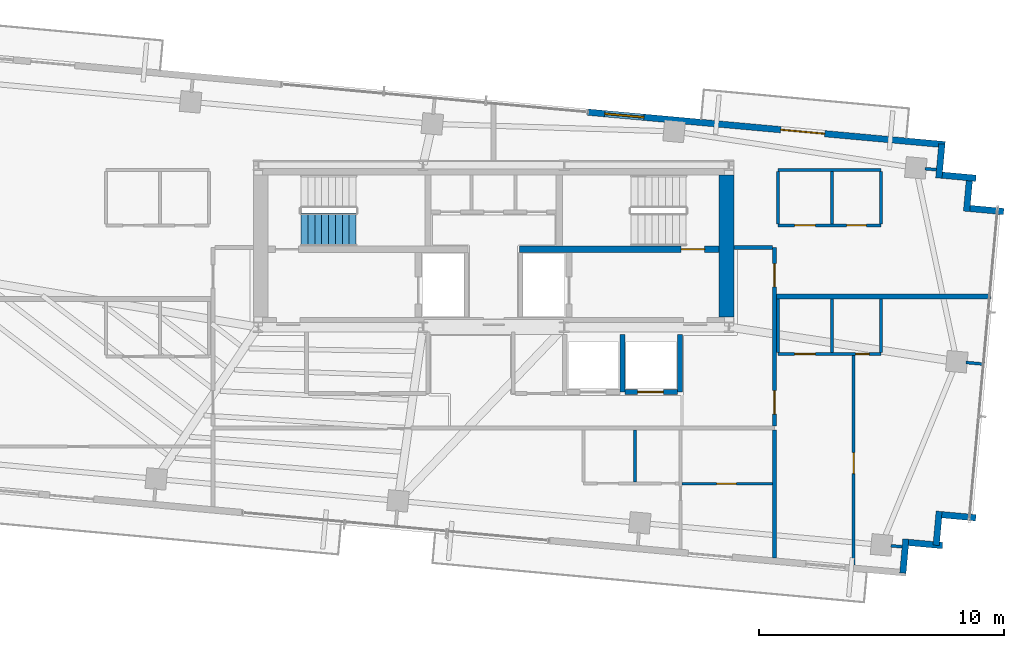
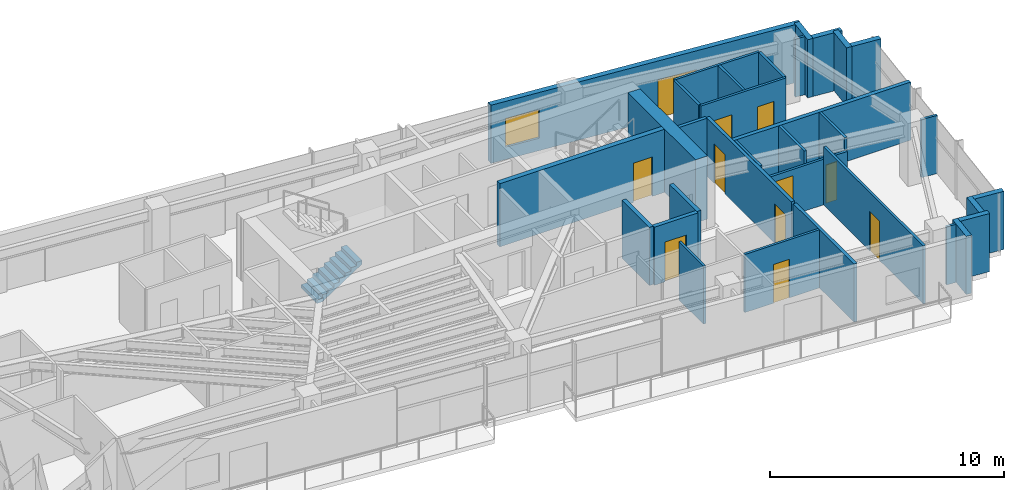
# One storey, part 18 of 22: 33 walls, 11 doors, 1 stair flight, 1 window, 12 openings, 1 element without a shape of its own.
"""IFC4 building model written with IfcOpenShell, lengths in metres."""

import ifcopenshell
import ifcopenshell.guid

model = None  # the IFC model being written
_history = None  # IfcOwnerHistory: only IFC2X3 demands one
_inside = {}  # id of a spatial element -> (the spatial element, [elements in it])
_under = {}  # id of a project, library or spatial element -> (it, [spatial elements below it])
_declared = {}  # id of a project -> (the project, [libraries it declares])
_typed = {}  # id of a type object -> (the type object, [elements of that type])
_made_of = {}  # id of a material, layer set ... -> (it, [elements and type objects made of it])


def new_model(schema):
    """Start an empty IFC model of exactly this schema.

    Asked for "IFC4X3", IfcOpenShell would pick the latest addendum, in which some entities
    have other attributes; the version numbers below select the first issue.
    IFC2X3 requires an IfcOwnerHistory on every rooted entity: one is made here for all.
    """
    global model, _history
    if schema == "IFC4X3":
        model = ifcopenshell.file(schema_version=(4, 3, 0, 0))
    else:
        model = ifcopenshell.file(schema=schema)
    _inside.clear()
    _under.clear()
    _declared.clear()
    _typed.clear()
    _made_of.clear()
    _history = None
    if model.schema == "IFC2X3":
        org = make("IfcOrganization", Name="unknown")
        user = make(
            "IfcPersonAndOrganization",
            ThePerson=make("IfcPerson", FamilyName="unknown"),
            TheOrganization=org,
        )
        app = make(
            "IfcApplication",
            ApplicationDeveloper=org,
            Version="unknown",
            ApplicationFullName="unknown",
            ApplicationIdentifier="unknown",
        )
        _history = make(
            "IfcOwnerHistory",
            OwningUser=user,
            OwningApplication=app,
            ChangeAction="ADDED",
            CreationDate=0,
        )
    return model


def make(cls, **values):
    """One entity of the class cls with the attributes given. An attribute that is None is left unset."""
    return model.create_entity(
        cls, **{name: value for name, value in values.items() if value is not None}
    )


def rooted(cls, **values):
    """An entity with a GlobalId (a new one), such as an element, a storey or a relation."""
    return make(cls, GlobalId=ifcopenshell.guid.new(), OwnerHistory=_history, **values)


def si_unit(unit_type, name, prefix=None):
    """IfcSIUnit, for example si_unit("LENGTHUNIT", "METRE", prefix="MILLI")."""
    return make("IfcSIUnit", UnitType=unit_type, Prefix=prefix, Name=name)


def assignment(units):
    """IfcUnitAssignment: the units of a project."""
    return None if units is None else make("IfcUnitAssignment", Units=units)


def point(xyz):
    """IfcCartesianPoint."""
    return None if xyz is None else make("IfcCartesianPoint", Coordinates=xyz)


def direction(xyz):
    """IfcDirection."""
    return None if xyz is None else make("IfcDirection", DirectionRatios=xyz)


def frame(location, z_axis=None, x_axis=None):
    """IfcAxis2Placement3D, a coordinate frame: its origin and axes. An axis left out is left unset."""
    return make(
        "IfcAxis2Placement3D",
        Location=point(location),
        Axis=direction(z_axis),
        RefDirection=direction(x_axis),
    )


def frame_2d(location, x_axis=None):
    """IfcAxis2Placement2D, a coordinate frame in the plane: its origin and x axis."""
    return make(
        "IfcAxis2Placement2D", Location=point(location), RefDirection=direction(x_axis)
    )


def origin():
    """The frame at (0, 0, 0) with its axes left unset."""
    return frame((0.0, 0.0, 0.0))


def place(relative_to, where):
    """IfcLocalPlacement: puts the frame where relative to a parent placement (None: the world)."""
    return make(
        "IfcLocalPlacement", PlacementRelTo=relative_to, RelativePlacement=where
    )


def context(
    kind, dimensions, precision=None, world=None, true_north=None, identifier=None
):
    """IfcGeometricRepresentationContext, for example the 3D "Model" context."""
    return make(
        "IfcGeometricRepresentationContext",
        ContextIdentifier=identifier,
        ContextType=kind,
        CoordinateSpaceDimension=dimensions,
        Precision=precision,
        WorldCoordinateSystem=world,
        TrueNorth=true_north,
    )


def subcontext(parent, identifier, kind, view, scale=None):
    """IfcGeometricRepresentationSubContext, for example "Body" below "Model"."""
    return make(
        "IfcGeometricRepresentationSubContext",
        ContextIdentifier=identifier,
        ContextType=kind,
        ParentContext=parent,
        TargetScale=scale,
        TargetView=view,
    )


def project(units=None, contexts=None):
    """IfcProject with its units and contexts."""
    return rooted(
        "IfcProject",
        Name="project",
        RepresentationContexts=contexts,
        UnitsInContext=assignment(units),
    )


def spatial(cls, under=None, at=None, **own):
    """A site, building, storey or space (cls), placed at a placement, below another one or the project."""
    s = rooted(cls, ObjectPlacement=at, **own)
    if under is not None:
        _under.setdefault(under.id(), (under, []))[1].append(s)
    return s


def polyline(points):
    """IfcPolyline through the points."""
    return make("IfcPolyline", Points=[point(p) for p in points])


def profile(cls, at=None, kind="AREA", **sizes):
    """A parametric profile (cls). Its sizes go by their IFC names, for example OverallWidth=200.0."""
    return make(cls, ProfileType=kind, Position=at, **sizes)


def rectangle(**sizes):
    """IfcRectangleProfileDef."""
    return profile("IfcRectangleProfileDef", **sizes)


def outline(outer, holes=None, kind="AREA"):
    """IfcArbitraryClosedProfileDef: a profile drawn as a closed curve; with holes, ...WithVoids."""
    if holes is None:
        return make("IfcArbitraryClosedProfileDef", ProfileType=kind, OuterCurve=outer)
    return make(
        "IfcArbitraryProfileDefWithVoids",
        ProfileType=kind,
        OuterCurve=outer,
        InnerCurves=holes,
    )


def extrude(swept, where, along, depth):
    """IfcExtrudedAreaSolid: the profile swept, set in the frame where, extruded along a direction by depth."""
    return make(
        "IfcExtrudedAreaSolid",
        SweptArea=swept,
        Position=where,
        ExtrudedDirection=direction(along),
        Depth=depth,
    )


def shape(context_of_items, identifier, shape_type, items):
    """IfcShapeRepresentation: the items that make up one representation, for example the "Body"."""
    return make(
        "IfcShapeRepresentation",
        ContextOfItems=context_of_items,
        RepresentationIdentifier=identifier,
        RepresentationType=shape_type,
        Items=items,
    )


def source(mapping_origin, context_of_items, identifier, shape_type, items):
    """IfcRepresentationMap: a shape defined once, which mapped items show again and again."""
    return make(
        "IfcRepresentationMap",
        MappingOrigin=mapping_origin,
        MappedRepresentation=shape(context_of_items, identifier, shape_type, items),
    )


def transform(
    local_origin,
    x_axis=None,
    y_axis=None,
    z_axis=None,
    scale=None,
    scale2=None,
    scale3=None,
    uniform=True,
):
    """IfcCartesianTransformationOperator3D, or its non-uniform kind. x_axis, y_axis, z_axis: its Axis1, 2, 3."""
    if uniform:
        return make(
            "IfcCartesianTransformationOperator3D",
            Axis1=direction(x_axis),
            Axis2=direction(y_axis),
            LocalOrigin=point(local_origin),
            Scale=scale,
            Axis3=direction(z_axis),
        )
    return make(
        "IfcCartesianTransformationOperator3DnonUniform",
        Axis1=direction(x_axis),
        Axis2=direction(y_axis),
        LocalOrigin=point(local_origin),
        Scale=scale,
        Axis3=direction(z_axis),
        Scale2=scale2,
        Scale3=scale3,
    )


def mapped(mapping_source, mapping_target):
    """IfcMappedItem: shows the shape of a source again, moved by a transform."""
    return make(
        "IfcMappedItem", MappingSource=mapping_source, MappingTarget=mapping_target
    )


def material(Name=None, Category=None):
    """IfcMaterial."""
    return make("IfcMaterial", Name=Name, Category=Category)


def layer(
    of_material, thickness, ventilated=None, Name=None, Category=None, Priority=None
):
    """IfcMaterialLayer: one layer of a wall or slab, of a material (None: an air gap)."""
    return make(
        "IfcMaterialLayer",
        Material=of_material,
        LayerThickness=thickness,
        IsVentilated=ventilated,
        Name=Name,
        Category=Category,
        Priority=Priority,
    )


def layer_set(layers, Name=None):
    """IfcMaterialLayerSet."""
    return make("IfcMaterialLayerSet", MaterialLayers=layers, LayerSetName=Name)


def made_of(thing, what):
    """Note that an element or type object is made of a material, layer set ...; save() writes the relation."""
    if what is not None:
        _made_of.setdefault(what.id(), (what, []))[1].append(thing)
    return thing


def type_object(cls, material=None, **own):
    """A type object (cls), such as IfcWallType, which elements share."""
    return made_of(rooted(cls, **own), material)


def type_shapes(of_type, sources):
    """Give a type object the sources (RepresentationMaps) that its elements show as mapped items."""
    of_type.RepresentationMaps = sources


def element(
    cls,
    number,
    at=None,
    inside=None,
    cuts=None,
    type_object=None,
    material=None,
    context=None,
    identifier="Body",
    shape_type=None,
    held_by="IfcProductDefinitionShape",
    body=None,
    shapes=None,
    **own,
):
    """One element of the class cls, such as IfcWall. Its Tag is "e" and its number.

    at: its placement. inside: the storey or other place that contains it. cuts: it is an
    opening in that element (IfcRelVoidsElement). A single representation is given by context,
    identifier, shape_type and body (its items); several are given by shapes. held_by: the class
    of the entity that holds the representations. save() writes the other relations.
    """
    e = rooted(cls, Tag="e%d" % number, ObjectPlacement=at, **own)
    if body is not None:
        shapes = [shape(context, identifier, shape_type, body)]
    if shapes is not None:
        e.Representation = make(held_by, Representations=shapes)
    if inside is not None:
        _inside.setdefault(inside.id(), (inside, []))[1].append(e)
    if cuts is not None:
        rooted(
            "IfcRelVoidsElement", RelatingBuildingElement=cuts, RelatedOpeningElement=e
        )
    if type_object is not None:
        _typed.setdefault(type_object.id(), (type_object, []))[1].append(e)
    return made_of(e, material)


def fill(opening, filler):
    """IfcRelFillsElement: the door or window that sits in an opening."""
    return rooted(
        "IfcRelFillsElement",
        RelatingOpeningElement=opening,
        RelatedBuildingElement=filler,
    )


def aggregate(whole, parts):
    """IfcRelAggregates: a whole, such as a stair, and the parts it consists of."""
    return rooted("IfcRelAggregates", RelatingObject=whole, RelatedObjects=parts)


def save(model, path):
    """Write the relations noted so far, then the file.

    IfcRelAggregates (storeys below a building ...), IfcRelContainedInSpatialStructure (elements
    in a storey), IfcRelDefinesByType, IfcRelAssociatesMaterial and IfcRelDeclares: one each for
    every whole, place, type object, material and project.
    """
    for whole, parts in _under.values():
        aggregate(whole, parts)
    for where, things in _inside.values():
        rooted(
            "IfcRelContainedInSpatialStructure",
            RelatedElements=things,
            RelatingStructure=where,
        )
    for kind, things in _typed.values():
        rooted("IfcRelDefinesByType", RelatedObjects=things, RelatingType=kind)
    for what, things in _made_of.values():
        rooted("IfcRelAssociatesMaterial", RelatedObjects=things, RelatingMaterial=what)
    for by, libraries in _declared.values():
        rooted("IfcRelDeclares", RelatingContext=by, RelatedDefinitions=libraries)
    model.write(path)


model = new_model("IFC4")

# Units and contexts
model_context = context("Model", 3, precision=1e-05, world=origin(), true_north=direction((0.0, 1.0)))
body_context = subcontext(model_context, "Body", "Model", "MODEL_VIEW")
ifc_project = project(units=[si_unit("LENGTHUNIT", "METRE"), si_unit("AREAUNIT", "SQUARE_METRE"), si_unit("VOLUMEUNIT", "CUBIC_METRE"), si_unit("PLANEANGLEUNIT", "RADIAN"), si_unit("MASSUNIT", "GRAM", prefix="KILO")], contexts=[model_context])

# Site, building, storey
site_placement = place(None, origin())
site = spatial("IfcSite", under=ifc_project, at=site_placement, CompositionType="ELEMENT")
building_placement = place(site_placement, origin())
building = spatial("IfcBuilding", under=site, at=building_placement, Name="Astriad Promenade Condominiums", CompositionType="ELEMENT")
storey_placement = place(building_placement, frame((0.0, 0.0, 246.300048828125)))
storey = spatial("IfcBuildingStorey", under=building, at=storey_placement, Name="L71", CompositionType="ELEMENT", Elevation=246.300048828125)

# Wall
ifc_material_1 = material(Name="Concrete C50/60", Category="concrete")
ifc_layer_1 = layer(ifc_material_1, 0.60009765625)
ifc_layer_set_1 = layer_set([ifc_layer_1], Name="Concrete C50/60")
wall_type_1 = type_object("IfcWallType", Name="CW-SHEAR-600", PredefinedType="SHEAR", material=ifc_layer_set_1)
wall_1_placement = place(storey_placement, frame((45.5, 17.802001953125, 0.0), z_axis=(0.0, 0.0, 1.0), x_axis=(0.0, 1.0, 0.0)))
element("IfcWall", 1, at=wall_1_placement, inside=storey, type_object=wall_type_1, Name="CW-CORE-E-L71", PredefinedType="SHEAR", context=body_context, shape_type="SweptSolid", body=[
    extrude(rectangle(XDim=5.7958984375, YDim=0.60009765625, at=frame_2d((2.89794921875, 0.0))), origin(), (0.0, 0.0, 1.0), 3.300048828125),
])

# Wall, opening, door
ifc_layer_2 = layer(ifc_material_1, 0.25)
ifc_layer_set_2 = layer_set([ifc_layer_2], Name="Concrete C50/60")
wall_type_2 = type_object("IfcWallType", Name="WALL-CORE-INT-250", PredefinedType="SOLIDWALL", material=ifc_layer_set_2)
wall_2_placement = place(storey_placement, frame((37.050048828125, 20.574951171875, 0.0), z_axis=(0.0, 0.0, 1.0), x_axis=(1.0, 0.0, 0.0)))
wall_2 = element("IfcWall", 2, at=wall_2_placement, inside=storey, type_object=wall_type_2, Name="CW-INT-H2-L71", PredefinedType="SOLIDWALL", context=body_context, shape_type="SweptSolid", body=[
    extrude(rectangle(XDim=8.14794921875, YDim=0.25, at=frame_2d((4.073974609375, 0.0))), origin(), (0.0, 0.0, 1.0), 3.300048828125),
])
opening_1_placement = place(wall_2_placement, frame((6.60009765625, 0.0, 0.0)))
opening_1 = element("IfcOpeningElement", 3, at=opening_1_placement, cuts=wall_2, Name="Opening FD90-ST-095", PredefinedType="OPENING", context=body_context, shape_type="SweptSolid", body=[
    extrude(rectangle(XDim=0.949951171875, YDim=2.06005859375, at=frame_2d((0.47509765625, 1.030029296875))), frame((0.0, 0.135009765625, 0.0), z_axis=(0.0, -1.0, 0.0), x_axis=(1.0, 0.0, 0.0)), (0.0, 0.0, 1.0), 0.27001953125),
])
ifc_material_2 = material(Name="Fire-Rated Hollow Metal Stair Door")
door_type_1 = type_object("IfcDoorType", Name="FD90-ST-095", OperationType="NOTDEFINED", PredefinedType="DOOR", material=ifc_material_2)
shared_shape_1 = source(origin(), body_context, "Body", "SweptSolid", [
    extrude(rectangle(XDim=0.949951171875, YDim=2.06005859375, at=frame_2d((0.47509765625, 1.030029296875))), frame((0.0, 0.02490234375, 0.0), z_axis=(0.0, -1.0, 0.0), x_axis=(1.0, 0.0, 0.0)), (0.0, 0.0, 1.0), 0.050048828125),
])
type_shapes(door_type_1, [shared_shape_1])
door_1_placement = place(opening_1_placement, origin())
door_1 = element("IfcDoor", 4, at=door_1_placement, inside=storey, type_object=door_type_1, Name="D-ST2-L71", OperationType="SINGLE_SWING_LEFT", OverallHeight=2.06005859375, OverallWidth=0.949951171875, PredefinedType="DOOR", context=body_context, shape_type="MappedRepresentation", body=[
    mapped(shared_shape_1, transform((0.0, 0.0, 0.0), scale=1.0)),
])
fill(opening_1, door_1)

# Wall
ifc_material_3 = material(Name="Fire-Rated Gypsum Partition")
ifc_layer_3 = layer(ifc_material_3, 0.159912109375)
ifc_layer_set_3 = layer_set([ifc_layer_3], Name="Fire-Rated Gypsum Partition")
wall_type_3 = type_object("IfcWallType", Name="WALL-CORR-160", PredefinedType="PARTITIONING", material=ifc_layer_set_3)
wall_3_placement = place(storey_placement, frame((47.449951171875, 7.9931640625, 0.0), z_axis=(0.0, 0.0, 1.0), x_axis=(0.0, 1.0, 0.0)))
element("IfcWall", 5, at=wall_3_placement, inside=storey, type_object=wall_type_3, Name="PT-COR-E-L71", PredefinedType="PARTITIONING", context=body_context, shape_type="SweptSolid", body=[
    extrude(rectangle(XDim=5.204833984375, YDim=0.159912109375, at=frame_2d((2.6025390625, 0.0))), origin(), (0.0, 0.0, 1.0), 3.0400390625),
])

# Wall, openings, doors
wall_4_placement = place(storey_placement, frame((47.449951171875, 13.362060546875, 0.0), z_axis=(0.0, 0.0, 1.0), x_axis=(0.0, 1.0, 0.0)))
wall_4 = element("IfcWall", 6, at=wall_4_placement, inside=storey, type_object=wall_type_3, Name="PT-COR-E-L71-S2", PredefinedType="PARTITIONING", context=body_context, shape_type="SweptSolid", body=[
    extrude(rectangle(XDim=7.287841796875, YDim=0.159912109375, at=frame_2d((3.64404296875, 0.0))), origin(), (0.0, 0.0, 1.0), 3.0400390625),
])
opening_2_placement = place(wall_4_placement, frame((0.492919921875, 0.0, 0.0)))
opening_2 = element("IfcOpeningElement", 7, at=opening_2_placement, cuts=wall_4, Name="Opening FD60-APT-095", PredefinedType="OPENING", context=body_context, shape_type="SweptSolid", body=[
    extrude(rectangle(XDim=0.949951171875, YDim=2.06005859375, at=frame_2d((0.47509765625, 1.030029296875))), frame((0.0, 0.08984375, 0.0), z_axis=(0.0, -1.0, 0.0), x_axis=(1.0, 0.0, 0.0)), (0.0, 0.0, 1.0), 0.179931640625),
])
opening_3_placement = place(wall_4_placement, frame((5.680908203125, 0.0, 0.0)))
opening_3 = element("IfcOpeningElement", 8, at=opening_3_placement, cuts=wall_4, Name="Opening FD60-APT-095", PredefinedType="OPENING", context=body_context, shape_type="SweptSolid", body=[
    extrude(rectangle(XDim=0.949951171875, YDim=2.06005859375, at=frame_2d((0.47509765625, 1.030029296875))), frame((0.0, 0.08984375, 0.0), z_axis=(0.0, -1.0, 0.0), x_axis=(1.0, 0.0, 0.0)), (0.0, 0.0, 1.0), 0.179931640625),
])
ifc_material_4 = material(Name="Solid-Core Acoustic Timber Residence Entry Door", Category="wood")
door_type_2 = type_object("IfcDoorType", Name="FD60-APT-095", OperationType="NOTDEFINED", PredefinedType="DOOR", material=ifc_material_4)
shared_shape_2 = source(origin(), body_context, "Body", "SweptSolid", [
    extrude(rectangle(XDim=0.949951171875, YDim=2.06005859375, at=frame_2d((0.47509765625, 1.030029296875))), frame((0.0, 0.02490234375, 0.0), z_axis=(0.0, -1.0, 0.0), x_axis=(1.0, 0.0, 0.0)), (0.0, 0.0, 1.0), 0.050048828125),
])
type_shapes(door_type_2, [shared_shape_2])
door_2_placement = place(opening_2_placement, origin())
door_2 = element("IfcDoor", 9, at=door_2_placement, inside=storey, type_object=door_type_2, Name="D-ENT-L71-E1", OperationType="SINGLE_SWING_LEFT", OverallHeight=2.06005859375, OverallWidth=0.949951171875, PredefinedType="DOOR", context=body_context, shape_type="MappedRepresentation", body=[
    mapped(shared_shape_2, transform((0.0, 0.0, 0.0), scale=1.0)),
])
fill(opening_2, door_2)
door_3_placement = place(opening_3_placement, origin())
door_3 = element("IfcDoor", 10, at=door_3_placement, inside=storey, type_object=door_type_2, Name="D-ENT-L71-E2", OperationType="SINGLE_SWING_LEFT", OverallHeight=2.06005859375, OverallWidth=0.949951171875, PredefinedType="DOOR", context=body_context, shape_type="MappedRepresentation", body=[
    mapped(shared_shape_2, transform((0.0, 0.0, 0.0), scale=1.0)),
])
fill(opening_3, door_3)

# Walls
wall_5_placement = place(storey_placement, frame((45.802001953125, 20.64990234375, 0.0), z_axis=(0.0, 0.0, 1.0), x_axis=(1.0, 0.0, 0.0)))
element("IfcWall", 11, at=wall_5_placement, inside=storey, type_object=wall_type_3, Name="PT-Z3E-N-L71", PredefinedType="PARTITIONING", context=body_context, shape_type="SweptSolid", body=[
    extrude(rectangle(XDim=1.56591796875, YDim=0.159912109375, at=frame_2d((0.782958984375, 0.0))), origin(), (0.0, 0.0, 1.0), 3.0400390625),
])
ifc_material_5 = material(Name="Acoustic Double-Stud Gypsum Partition")
ifc_layer_4 = layer(ifc_material_5, 0.199951171875)
ifc_layer_set_4 = layer_set([ifc_layer_4], Name="Acoustic Double-Stud Gypsum Partition")
wall_type_4 = type_object("IfcWallType", Name="WALL-DEMISING-200", PredefinedType="PARTITIONING", material=ifc_layer_set_4)
wall_6_placement = place(storey_placement, frame((47.531982421875, 18.64990234375, 0.0), z_axis=(0.0, 0.0, 1.0), x_axis=(1.0, 0.0, 0.0)))
element("IfcWall", 12, at=wall_6_placement, inside=storey, type_object=wall_type_4, Name="PT-DEM-EE-L71", PredefinedType="PARTITIONING", context=body_context, shape_type="SweptSolid", body=[
    extrude(rectangle(XDim=8.743408203125, YDim=0.199951171875, at=frame_2d((4.37158203125, 0.0))), origin(), (0.0, 0.0, 1.0), 3.0400390625),
])

# Wall, openings, door, window
ifc_material_6 = material(Name="Precast concrete C50/60", Category="concrete")
ifc_layer_5 = layer(ifc_material_6, 0.260009765625)
ifc_layer_set_5 = layer_set([ifc_layer_5], Name="Precast concrete C50/60")
wall_type_5 = type_object("IfcWallType", Name="WALL-EXT-TWR-260", PredefinedType="STANDARD", material=ifc_layer_set_5)
wall_7_placement = place(storey_placement, frame((39.839111328125, 26.16552734375, 0.0), z_axis=(0.0, 0.0, 1.0), x_axis=(0.995884447498, -0.090632043071, 0.0)))
wall_7 = element("IfcWall", 13, at=wall_7_placement, inside=storey, type_object=wall_type_5, Name="W-EXT-L71-N2", PredefinedType="STANDARD", context=body_context, shape_type="SweptSolid", body=[
    extrude(rectangle(XDim=14.6298828125, YDim=0.260009765625, at=frame_2d((7.31494140625, 0.0))), origin(), (0.0, 0.0, 1.0), 3.0400390625),
])
opening_4_placement = place(wall_7_placement, frame((7.89990234375, 0.0, 0.0)))
opening_4 = element("IfcOpeningElement", 14, at=opening_4_placement, cuts=wall_7, Name="Opening BD-1822-SLD", PredefinedType="OPENING", context=body_context, shape_type="SweptSolid", body=[
    extrude(rectangle(XDim=1.800048828125, YDim=2.06005859375, at=frame_2d((0.89990234375, 1.030029296875))), frame((0.0, 0.139892578125, 0.0), z_axis=(0.0, -1.0, 0.0), x_axis=(1.0, 0.0, 0.0)), (0.0, 0.0, 1.0), 0.280029296875),
])
opening_5_placement = place(wall_7_placement, frame((0.699951171875, 0.0, 0.64990234375)))
opening_5 = element("IfcOpeningElement", 15, at=opening_5_placement, cuts=wall_7, Name="Opening WIN-TWR-1620", PredefinedType="OPENING", context=body_context, shape_type="SweptSolid", body=[
    extrude(rectangle(XDim=1.60009765625, YDim=1.5, at=frame_2d((0.800048828125, 0.75))), frame((0.0, 0.139892578125, 0.0), z_axis=(0.0, -1.0, 0.0), x_axis=(1.0, 0.0, 0.0)), (0.0, 0.0, 1.0), 0.280029296875),
])
ifc_material_7 = material(Name="Thermally Broken Aluminium Sliding Balcony Door", Category="aluminium")
door_type_3 = type_object("IfcDoorType", Name="BD-1822-SLD", OperationType="NOTDEFINED", PredefinedType="DOOR", material=ifc_material_7)
shared_shape_3 = source(origin(), body_context, "Body", "SweptSolid", [
    extrude(rectangle(XDim=1.800048828125, YDim=2.06005859375, at=frame_2d((0.89990234375, 1.030029296875))), frame((0.0, 0.02490234375, 0.0), z_axis=(0.0, -1.0, 0.0), x_axis=(1.0, 0.0, 0.0)), (0.0, 0.0, 1.0), 0.050048828125),
])
type_shapes(door_type_3, [shared_shape_3])
door_4_placement = place(opening_4_placement, origin())
door_4 = element("IfcDoor", 16, at=door_4_placement, inside=storey, type_object=door_type_3, Name="BD-L71-NE", OperationType="SLIDING_TO_RIGHT", OverallHeight=2.06005859375, OverallWidth=1.800048828125, PredefinedType="DOOR", context=body_context, shape_type="MappedRepresentation", body=[
    mapped(shared_shape_3, transform((0.0, 0.0, 0.0), scale=1.0)),
])
fill(opening_4, door_4)
ifc_material_8 = material(Name="Dark Tinted Triple-Glazed Aluminium Window", Category="aluminium")
window_type = type_object("IfcWindowType", Name="WIN-TWR-1620", PartitioningType="SINGLE_PANEL", PredefinedType="WINDOW", material=ifc_material_8)
shared_shape_4 = source(origin(), body_context, "Body", "SweptSolid", [
    extrude(rectangle(XDim=1.60009765625, YDim=1.5, at=frame_2d((0.800048828125, 0.75))), frame((0.0, 0.030029296875, 0.0), z_axis=(0.0, -1.0, 0.0), x_axis=(1.0, 0.0, 0.0)), (0.0, 0.0, 1.0), 0.06005859375),
])
type_shapes(window_type, [shared_shape_4])
window_placement = place(opening_5_placement, origin())
window = element("IfcWindow", 17, at=window_placement, inside=storey, type_object=window_type, Name="WIN-L71-NE", OverallHeight=1.5, OverallWidth=1.60009765625, PartitioningType="SINGLE_PANEL", PredefinedType="WINDOW", context=body_context, shape_type="MappedRepresentation", body=[
    mapped(shared_shape_4, transform((0.0, 0.0, 0.0), scale=1.0)),
])
fill(opening_5, window)

# Walls
wall_8_placement = place(storey_placement, frame((54.28076171875, 24.866455078125, 0.0), z_axis=(0.0, 0.0, 1.0), x_axis=(-0.090661991521, -0.995881721538, 0.0)))
element("IfcWall", 18, at=wall_8_placement, inside=storey, type_object=wall_type_5, Name="W-SER-L71-09", PredefinedType="STANDARD", context=body_context, shape_type="SweptSolid", body=[
    extrude(rectangle(XDim=1.39501953125, YDim=0.260009765625, at=frame_2d((0.697509765625, 0.0))), origin(), (0.0, 0.0, 1.0), 3.0400390625),
])
for number, where, z_axis, x_axis, name in (
    (19, (54.280517578125, 23.59619140625, 0.0), (0.0, 0.0, 1.0), (0.995883159782, -0.090646191665, 0.0), "W-SER-L71-10"),
    (20, (55.412353515625, 23.50830078125, 0.0), (0.0, 0.0, 1.0), (-0.090646191665, -0.995883159782, 0.0), "W-SER-L71-11"),
    (21, (55.412109375, 22.238037109375, 0.0), (0.0, 0.0, 1.0), (0.995883159782, -0.090646191665, 0.0), "W-SER-L71-12"),
):
    element("IfcWall", number, at=place(storey_placement, frame(where, z_axis=z_axis, x_axis=x_axis)), inside=storey, type_object=wall_type_5, Name=name, PredefinedType="STANDARD", context=body_context, shape_type="SweptSolid", body=[
        extrude(rectangle(XDim=1.395263671875, YDim=0.260009765625, at=frame_2d((0.69775390625, 0.0))), origin(), (0.0, 0.0, 1.0), 3.0400390625),
    ])
for number, where, z_axis, x_axis, name in (
    (22, (55.664794921875, 9.623291015625, 0.0), (0.0, 0.0, 1.0), (-0.995881721538, 0.090661991521, 0.0), "W-SER-L71-14"),
    (23, (54.1728515625, 9.889404296875, 0.0), (0.0, 0.0, 1.0), (-0.090661991521, -0.995881721538, 0.0), "W-SER-L71-15"),
):
    element("IfcWall", number, at=place(storey_placement, frame(where, z_axis=z_axis, x_axis=x_axis)), inside=storey, type_object=wall_type_5, Name=name, PredefinedType="STANDARD", context=body_context, shape_type="SweptSolid", body=[
        extrude(rectangle(XDim=1.39501953125, YDim=0.260009765625, at=frame_2d((0.697509765625, 0.0))), origin(), (0.0, 0.0, 1.0), 3.0400390625),
    ])
for number, where, z_axis, x_axis, name in (
    (24, (54.306884765625, 8.49169921875, 0.0), (0.0, 0.0, 1.0), (-0.995883159782, 0.090646191665, 0.0), "W-SER-L71-16"),
    (25, (52.814697265625, 8.758056640625, 0.0), (0.0, 0.0, 1.0), (-0.090646191665, -0.995883159782, 0.0), "W-SER-L71-17"),
):
    element("IfcWall", number, at=place(storey_placement, frame(where, z_axis=z_axis, x_axis=x_axis)), inside=storey, type_object=wall_type_5, Name=name, PredefinedType="STANDARD", context=body_context, shape_type="SweptSolid", body=[
        extrude(rectangle(XDim=1.395263671875, YDim=0.260009765625, at=frame_2d((0.69775390625, 0.0))), origin(), (0.0, 0.0, 1.0), 3.0400390625),
    ])
ifc_material_9 = material(Name="Acoustic Metal-Stud Gypsum Partition")
ifc_layer_6 = layer(ifc_material_9, 0.1201171875)
ifc_layer_set_6 = layer_set([ifc_layer_6], Name="Acoustic Metal-Stud Gypsum Partition")
wall_type_6 = type_object("IfcWallType", Name="WALL-PART-120", PredefinedType="PARTITIONING", material=ifc_layer_set_6)
wall_9_placement = place(storey_placement, frame((41.77001953125, 11.092041015625, 0.0), z_axis=(0.0, 0.0, 1.0), x_axis=(0.0, 1.0, 0.0)))
element("IfcWall", 26, at=wall_9_placement, inside=storey, type_object=wall_type_6, Name="PT-L71-S1-PBK", PredefinedType="PARTITIONING", context=body_context, shape_type="SweptSolid", body=[
    extrude(rectangle(XDim=2.10595703125, YDim=0.1201171875, at=frame_2d((1.052978515625, 0.0))), origin(), (0.0, 0.0, 1.0), 3.0400390625),
])

# Wall, opening, door
wall_10_placement = place(storey_placement, frame((43.681884765625, 11.010986328125, 0.0), z_axis=(0.0, 0.0, 1.0), x_axis=(1.0, 0.0, 0.0)))
wall_10 = element("IfcWall", 27, at=wall_10_placement, inside=storey, type_object=wall_type_6, Name="PT-L71-S1-ENS", PredefinedType="PARTITIONING", context=body_context, shape_type="SweptSolid", body=[
    extrude(rectangle(XDim=3.68603515625, YDim=0.1201171875, at=frame_2d((1.843017578125, 0.0))), origin(), (0.0, 0.0, 1.0), 3.0400390625),
])
opening_6_placement = place(wall_10_placement, frame((1.4130859375, 0.0, 0.0)))
opening_6 = element("IfcOpeningElement", 28, at=opening_6_placement, cuts=wall_10, Name="Opening D-WET-080", PredefinedType="OPENING", context=body_context, shape_type="SweptSolid", body=[
    extrude(rectangle(XDim=0.800048828125, YDim=2.02001953125, at=frame_2d((0.39990234375, 1.010009765625))), frame((0.0, 0.070068359375, 0.0), z_axis=(0.0, -1.0, 0.0), x_axis=(1.0, 0.0, 0.0)), (0.0, 0.0, 1.0), 0.14013671875),
])
ifc_material_10 = material(Name="Moisture-Resistant Timber Bathroom Door", Category="wood")
door_type_4 = type_object("IfcDoorType", Name="D-WET-080", OperationType="NOTDEFINED", PredefinedType="DOOR", material=ifc_material_10)
shared_shape_5 = source(origin(), body_context, "Body", "SweptSolid", [
    extrude(rectangle(XDim=0.800048828125, YDim=2.02001953125, at=frame_2d((0.39990234375, 1.010009765625))), frame((0.0, 0.02490234375, 0.0), z_axis=(0.0, -1.0, 0.0), x_axis=(1.0, 0.0, 0.0)), (0.0, 0.0, 1.0), 0.050048828125),
])
type_shapes(door_type_4, [shared_shape_5])
door_5_placement = place(opening_6_placement, origin())
door_5 = element("IfcDoor", 29, at=door_5_placement, inside=storey, type_object=door_type_4, Name="D-ENS-L71-S1", OperationType="SINGLE_SWING_LEFT", OverallHeight=2.02001953125, OverallWidth=0.800048828125, PredefinedType="DOOR", context=body_context, shape_type="MappedRepresentation", body=[
    mapped(shared_shape_5, transform((0.0, 0.0, 0.0), scale=1.0)),
])
fill(opening_6, door_5)

# Wall, openings, doors
wall_11_placement = place(storey_placement, frame((47.60009765625, 16.300048828125, 0.0), z_axis=(0.0, 0.0, 1.0), x_axis=(1.0, 0.0, 0.0)))
wall_11 = element("IfcWall", 30, at=wall_11_placement, inside=storey, type_object=wall_type_6, Name="PT-L71-E1-PH", PredefinedType="PARTITIONING", context=body_context, shape_type="SweptSolid", body=[
    extrude(rectangle(XDim=4.199951171875, YDim=0.1201171875, at=frame_2d((2.10009765625, 0.0))), origin(), (0.0, 0.0, 1.0), 2.38134765625),
])
opening_7_placement = place(wall_11_placement, frame((0.675048828125, 0.0, 0.0)))
opening_7 = element("IfcOpeningElement", 31, at=opening_7_placement, cuts=wall_11, Name="Opening D-INT-085", PredefinedType="OPENING", context=body_context, shape_type="SweptSolid", body=[
    extrude(rectangle(XDim=0.85009765625, YDim=2.050048828125, at=frame_2d((0.425048828125, 1.02490234375))), frame((0.0, 0.070068359375, 0.0), z_axis=(0.0, -1.0, 0.0), x_axis=(1.0, 0.0, 0.0)), (0.0, 0.0, 1.0), 0.14013671875),
])
opening_8_placement = place(wall_11_placement, frame((3.1650390625, 0.0, 0.0)))
opening_8 = element("IfcOpeningElement", 32, at=opening_8_placement, cuts=wall_11, Name="Opening D-AC-055", PredefinedType="OPENING", context=body_context, shape_type="SweptSolid", body=[
    extrude(rectangle(XDim=0.550048828125, YDim=2.0, at=frame_2d((0.27490234375, 1.0))), frame((0.0, 0.070068359375, 0.0), z_axis=(0.0, -1.0, 0.0), x_axis=(1.0, 0.0, 0.0)), (0.0, 0.0, 1.0), 0.14013671875),
])
ifc_material_11 = material(Name="Painted Solid-Core Timber Room Door", Category="wood")
door_type_5 = type_object("IfcDoorType", Name="D-INT-085", OperationType="NOTDEFINED", PredefinedType="DOOR", material=ifc_material_11)
shared_shape_6 = source(origin(), body_context, "Body", "SweptSolid", [
    extrude(rectangle(XDim=0.85009765625, YDim=2.050048828125, at=frame_2d((0.425048828125, 1.02490234375))), frame((0.0, 0.02490234375, 0.0), z_axis=(0.0, -1.0, 0.0), x_axis=(1.0, 0.0, 0.0)), (0.0, 0.0, 1.0), 0.050048828125),
])
type_shapes(door_type_5, [shared_shape_6])
door_6_placement = place(opening_7_placement, origin())
door_6 = element("IfcDoor", 33, at=door_6_placement, inside=storey, type_object=door_type_5, Name="D-KIT-L71-E1", OperationType="SINGLE_SWING_LEFT", OverallHeight=2.050048828125, OverallWidth=0.85009765625, PredefinedType="DOOR", context=body_context, shape_type="MappedRepresentation", body=[
    mapped(shared_shape_6, transform((0.0, 0.0, 0.0), scale=1.0)),
])
fill(opening_7, door_6)
ifc_material_12 = material(Name="Painted Timber Access Door", Category="wood")
door_type_6 = type_object("IfcDoorType", Name="D-AC-055", OperationType="NOTDEFINED", PredefinedType="DOOR", material=ifc_material_12)
shared_shape_7 = source(origin(), body_context, "Body", "SweptSolid", [
    extrude(rectangle(XDim=0.550048828125, YDim=2.0, at=frame_2d((0.27490234375, 1.0))), frame((0.0, 0.02490234375, 0.0), z_axis=(0.0, -1.0, 0.0), x_axis=(1.0, 0.0, 0.0)), (0.0, 0.0, 1.0), 0.050048828125),
])
type_shapes(door_type_6, [shared_shape_7])
door_7_placement = place(opening_8_placement, origin())
door_7 = element("IfcDoor", 34, at=door_7_placement, inside=storey, type_object=door_type_6, Name="D-BTH-L71-E1", OperationType="SINGLE_SWING_RIGHT", OverallHeight=2.0, OverallWidth=0.550048828125, PredefinedType="DOOR", context=body_context, shape_type="MappedRepresentation", body=[
    mapped(shared_shape_7, transform((0.0, 0.0, 0.0), scale=1.0)),
])
fill(opening_8, door_7)

# Walls
for number, where, z_axis, x_axis, name in (
    (35, (47.60009765625, 16.362060546875, 0.0), (0.0, 0.0, 1.0), (0.0, 1.0, 0.0), "PT-L71-E1-PK1"),
    (36, (49.800048828125, 16.362060546875, 0.0), (0.0, 0.0, 1.0), (0.0, 1.0, 0.0), "PT-L71-E1-PK2"),
    (37, (51.800048828125, 16.362060546875, 0.0), (0.0, 0.0, 1.0), (0.0, 1.0, 0.0), "PT-L71-E1-PK3"),
):
    element("IfcWall", number, at=place(storey_placement, frame(where, z_axis=z_axis, x_axis=x_axis)), inside=storey, type_object=wall_type_6, Name=name, PredefinedType="PARTITIONING", context=body_context, shape_type="SweptSolid", body=[
        extrude(rectangle(XDim=2.18603515625, YDim=0.1201171875, at=frame_2d((1.093017578125, 0.0))), origin(), (0.0, 0.0, 1.0), 3.0400390625),
    ])

# Wall, opening, door
wall_12_placement = place(storey_placement, frame((50.681884765625, 7.698974609375, 0.0), z_axis=(0.0, 0.0, 1.0), x_axis=(0.0, 1.0, 0.0)))
wall_12 = element("IfcWall", 38, at=wall_12_placement, inside=storey, type_object=wall_type_6, Name="PT-L71-E1-CAP1", PredefinedType="PARTITIONING", context=body_context, shape_type="SweptSolid", body=[
    extrude(rectangle(XDim=8.5390625, YDim=0.1201171875, at=frame_2d((4.26953125, 0.0))), origin(), (0.0, 0.0, 1.0), 3.0400390625),
])
opening_9_placement = place(wall_12_placement, frame((3.72998046875, 0.0, 0.0)))
opening_9 = element("IfcOpeningElement", 39, at=opening_9_placement, cuts=wall_12, Name="Opening D-INT-085", PredefinedType="OPENING", context=body_context, shape_type="SweptSolid", body=[
    extrude(rectangle(XDim=0.85009765625, YDim=2.050048828125, at=frame_2d((0.425048828125, 1.02490234375))), frame((0.0, 0.070068359375, 0.0), z_axis=(0.0, -1.0, 0.0), x_axis=(1.0, 0.0, 0.0)), (0.0, 0.0, 1.0), 0.14013671875),
])
door_8_placement = place(opening_9_placement, origin())
door_8 = element("IfcDoor", 40, at=door_8_placement, inside=storey, type_object=door_type_5, Name="D-CAP1-L71-E1", OperationType="SINGLE_SWING_RIGHT", OverallHeight=2.050048828125, OverallWidth=0.85009765625, PredefinedType="DOOR", context=body_context, shape_type="MappedRepresentation", body=[
    mapped(shared_shape_6, transform((0.0, 0.0, 0.0), scale=1.0)),
])
fill(opening_9, door_8)

# Wall, openings, doors
wall_13_placement = place(storey_placement, frame((47.60009765625, 21.550048828125, 0.0), z_axis=(0.0, 0.0, 1.0), x_axis=(1.0, 0.0, 0.0)))
wall_13 = element("IfcWall", 41, at=wall_13_placement, inside=storey, type_object=wall_type_6, Name="PT-L71-E2-PH", PredefinedType="PARTITIONING", context=body_context, shape_type="SweptSolid", body=[
    extrude(rectangle(XDim=4.199951171875, YDim=0.1201171875, at=frame_2d((2.10009765625, 0.0))), origin(), (0.0, 0.0, 1.0), 3.0400390625),
])
opening_10_placement = place(wall_13_placement, frame((0.675048828125, 0.0, 0.0)))
opening_10 = element("IfcOpeningElement", 42, at=opening_10_placement, cuts=wall_13, Name="Opening D-INT-085", PredefinedType="OPENING", context=body_context, shape_type="SweptSolid", body=[
    extrude(rectangle(XDim=0.85009765625, YDim=2.050048828125, at=frame_2d((0.425048828125, 1.02490234375))), frame((0.0, 0.070068359375, 0.0), z_axis=(0.0, -1.0, 0.0), x_axis=(1.0, 0.0, 0.0)), (0.0, 0.0, 1.0), 0.14013671875),
])
opening_11_placement = place(wall_13_placement, frame((2.800048828125, 0.0, 0.0)))
opening_11 = element("IfcOpeningElement", 43, at=opening_11_placement, cuts=wall_13, Name="Opening D-WET-080", PredefinedType="OPENING", context=body_context, shape_type="SweptSolid", body=[
    extrude(rectangle(XDim=0.800048828125, YDim=2.02001953125, at=frame_2d((0.39990234375, 1.010009765625))), frame((0.0, 0.070068359375, 0.0), z_axis=(0.0, -1.0, 0.0), x_axis=(1.0, 0.0, 0.0)), (0.0, 0.0, 1.0), 0.14013671875),
])
door_9_placement = place(opening_11_placement, origin())
door_9 = element("IfcDoor", 44, at=door_9_placement, inside=storey, type_object=door_type_4, Name="D-BTH-L71-E2", OperationType="SINGLE_SWING_LEFT", OverallHeight=2.02001953125, OverallWidth=0.800048828125, PredefinedType="DOOR", context=body_context, shape_type="MappedRepresentation", body=[
    mapped(shared_shape_5, transform((0.0, 0.0, 0.0), scale=1.0)),
])
fill(opening_11, door_9)
door_10_placement = place(opening_10_placement, origin())
door_10 = element("IfcDoor", 45, at=door_10_placement, inside=storey, type_object=door_type_5, Name="D-KIT-L71-E2", OperationType="SINGLE_SWING_RIGHT", OverallHeight=2.050048828125, OverallWidth=0.85009765625, PredefinedType="DOOR", context=body_context, shape_type="MappedRepresentation", body=[
    mapped(shared_shape_6, transform((0.0, 0.0, 0.0), scale=1.0)),
])
fill(opening_10, door_10)

# Walls
wall_14_placement = place(storey_placement, frame((47.60009765625, 23.800048828125, 0.0), z_axis=(0.0, 0.0, 1.0), x_axis=(1.0, 0.0, 0.0)))
element("IfcWall", 46, at=wall_14_placement, inside=storey, type_object=wall_type_6, Name="PT-L71-E2-PHN", PredefinedType="PARTITIONING", context=body_context, shape_type="SweptSolid", body=[
    extrude(rectangle(XDim=4.199951171875, YDim=0.1201171875, at=frame_2d((2.10009765625, 0.0))), origin(), (0.0, 0.0, 1.0), 3.0400390625),
])
for number, where, z_axis, x_axis, name in (
    (47, (47.60009765625, 21.612060546875, 0.0), (0.0, 0.0, 1.0), (0.0, 1.0, 0.0), "PT-L71-E2-PK1"),
    (48, (49.800048828125, 21.612060546875, 0.0), (0.0, 0.0, 1.0), (0.0, 1.0, 0.0), "PT-L71-E2-PK2"),
    (49, (51.800048828125, 21.612060546875, 0.0), (0.0, 0.0, 1.0), (0.0, 1.0, 0.0), "PT-L71-E2-PK3"),
):
    element("IfcWall", number, at=place(storey_placement, frame(where, z_axis=z_axis, x_axis=x_axis)), inside=storey, type_object=wall_type_6, Name=name, PredefinedType="PARTITIONING", context=body_context, shape_type="SweptSolid", body=[
        extrude(rectangle(XDim=2.1259765625, YDim=0.1201171875, at=frame_2d((1.06298828125, 0.0))), origin(), (0.0, 0.0, 1.0), 3.0400390625),
    ])
for number, where, z_axis, x_axis, name in (
    (50, (52.197265625, 8.48291015625, 0.0), (0.0, 0.0, 1.0), (0.995884462012, -0.090631883588, 0.0), "PT-PIL-L71-PC05-12"),
    (51, (53.5966796875, 23.859375, 0.0), (0.0, 0.0, 1.0), (0.995884462012, -0.090631883588, 0.0), "PT-PIL-L71-PC10-17"),
):
    element("IfcWall", number, at=place(storey_placement, frame(where, z_axis=z_axis, x_axis=x_axis)), inside=storey, type_object=wall_type_6, Name=name, PredefinedType="PARTITIONING", context=body_context, shape_type="SweptSolid", body=[
        extrude(rectangle(XDim=0.4580078125, YDim=0.1201171875, at=frame_2d((0.22900390625, 0.0))), origin(), (0.0, 0.0, 1.0), 3.0400390625),
    ])
wall_15_placement = place(storey_placement, frame((55.26708984375, 15.955322265625, 0.0), z_axis=(0.0, 0.0, 1.0), x_axis=(0.995887938321, -0.09059367697, 0.0)))
element("IfcWall", 52, at=wall_15_placement, inside=storey, type_object=wall_type_6, Name="PT-PIL-L71-PC12-19", PredefinedType="PARTITIONING", context=body_context, shape_type="SweptSolid", body=[
    extrude(rectangle(XDim=0.760009765625, YDim=0.1201171875, at=frame_2d((0.3798828125, 0.0))), origin(), (0.0, 0.0, 1.0), 3.0400390625),
])
ifc_material_13 = material(Name="Gypsum Shaftliner Assembly")
ifc_layer_7 = layer(ifc_material_13, 0.199951171875)
ifc_layer_set_7 = layer_set([ifc_layer_7], Name="Gypsum Shaftliner Assembly")
wall_type_7 = type_object("IfcWallType", Name="WALL-SHAFT-200", PredefinedType="PARTITIONING", material=ifc_layer_set_7)
for number, where, z_axis, x_axis, name in (
    (53, (41.25, 14.75, 0.0), (0.0, 0.0, 1.0), (0.0, 1.0, 0.0), "PL-H-DIV-L71"),
    (54, (43.60009765625, 14.75, 0.0), (0.0, 0.0, 1.0), (0.0, 1.0, 0.0), "PL-E-OUT-L71"),
):
    element("IfcWall", number, at=place(storey_placement, frame(where, z_axis=z_axis, x_axis=x_axis)), inside=storey, type_object=wall_type_7, Name=name, PredefinedType="PARTITIONING", context=body_context, shape_type="SweptSolid", body=[
        extrude(rectangle(XDim=2.35009765625, YDim=0.199951171875, at=frame_2d((1.175048828125, 0.0))), origin(), (0.0, 0.0, 1.0), 3.0400390625),
    ])

# Wall, opening, door
wall_16_placement = place(storey_placement, frame((41.35205078125, 14.75, 0.0), z_axis=(0.0, 0.0, 1.0), x_axis=(1.0, 0.0, 0.0)))
wall_16 = element("IfcWall", 55, at=wall_16_placement, inside=storey, type_object=wall_type_7, Name="PL-H-FRT-L71-S2", PredefinedType="PARTITIONING", context=body_context, shape_type="SweptSolid", body=[
    extrude(rectangle(XDim=2.14599609375, YDim=0.199951171875, at=frame_2d((1.072998046875, 0.0))), origin(), (0.0, 0.0, 1.0), 3.0400390625),
])
opening_12_placement = place(wall_16_placement, frame((0.52294921875, 0.0, 0.0)))
opening_12 = element("IfcOpeningElement", 56, at=opening_12_placement, cuts=wall_16, Name="Opening LD-PL-10522", PredefinedType="OPENING", context=body_context, shape_type="SweptSolid", body=[
    extrude(rectangle(XDim=1.050048828125, YDim=2.080078125, at=frame_2d((0.52490234375, 1.0400390625))), frame((0.0, 0.10986328125, 0.0), z_axis=(0.0, -1.0, 0.0), x_axis=(1.0, 0.0, 0.0)), (0.0, 0.0, 1.0), 0.219970703125),
])
ifc_material_14 = material(Name="Brushed Bronze Passenger Elevator Landing Door")
door_type_7 = type_object("IfcDoorType", Name="LD-PL-10522", OperationType="NOTDEFINED", PredefinedType="DOOR", material=ifc_material_14)
shared_shape_8 = source(origin(), body_context, "Body", "SweptSolid", [
    extrude(rectangle(XDim=1.050048828125, YDim=2.080078125, at=frame_2d((0.52490234375, 1.0400390625))), frame((0.0, 0.02490234375, 0.0), z_axis=(0.0, -1.0, 0.0), x_axis=(1.0, 0.0, 0.0)), (0.0, 0.0, 1.0), 0.050048828125),
])
type_shapes(door_type_7, [shared_shape_8])
door_11_placement = place(opening_12_placement, origin())
door_11 = element("IfcDoor", 57, at=door_11_placement, inside=storey, type_object=door_type_7, Name="Elevator Landing Door PL-H2 (L71)", OperationType="SLIDING_TO_RIGHT", OverallHeight=2.080078125, OverallWidth=1.050048828125, PredefinedType="DOOR", context=body_context, shape_type="MappedRepresentation", body=[
    mapped(shared_shape_8, transform((0.0, 0.0, 0.0), scale=1.0)),
])
fill(opening_12, door_11)

# Stair, stair flight
stair_type = type_object("IfcStairType", Name="STR-CORE-1350", PredefinedType="HALF_TURN_STAIR", material=ifc_material_1)
stair_placement = place(storey_placement, origin())
stair = element("IfcStair", 58, at=stair_placement, inside=storey, type_object=stair_type, Name="L71 Enclosed Core Exit Stair ST-1", PredefinedType="HALF_TURN_STAIR")
stair_flight_type = type_object("IfcStairFlightType", Name="SFL-CORE-1350", PredefinedType="STRAIGHT", material=ifc_material_1)
shared_shape_9 = source(origin(), body_context, "Body", "SweptSolid", [
    extrude(outline(polyline([(0.0, 0.0), (0.0, 0.183349609375), (0.280029296875, 0.183349609375), (0.280029296875, 0.36669921875), (0.56005859375, 0.36669921875), (0.56005859375, 0.550048828125), (0.840087890625, 0.550048828125), (0.840087890625, 0.7333984375), (1.1201171875, 0.7333984375), (1.1201171875, 0.916748046875), (1.39990234375, 0.916748046875), (1.39990234375, 1.10009765625), (1.679931640625, 1.10009765625), (1.679931640625, 1.283447265625), (1.9599609375, 1.283447265625), (1.9599609375, 1.466552734375), (2.239990234375, 1.466552734375), (2.239990234375, 1.64990234375), (2.239990234375, 1.28759765625), (0.273681640625, 0.0), (0.0, 0.0)])), frame((0.0, 0.675048828125, 0.0), z_axis=(0.0, -1.0, 0.0), x_axis=(1.0, 0.0, 0.0)), (0.0, 0.0, 1.0), 1.35009765625),
])
type_shapes(stair_flight_type, [shared_shape_9])
stair_flight_placement = place(storey_placement, frame((28.14990234375, 21.375, 0.0), z_axis=(0.0, 0.0, 1.0), x_axis=(1.0, 0.0, 0.0)))
stair_flight = element("IfcStairFlight", 59, at=stair_flight_placement, type_object=stair_flight_type, Name="ST-1 flight 1", NumberOfRisers=9, NumberOfTreads=8, PredefinedType="STRAIGHT", RiserHeight=0.183333333, TreadLength=0.28, context=body_context, shape_type="MappedRepresentation", body=[
    mapped(shared_shape_9, transform((0.0, 0.0, 0.0), scale=1.0)),
])
aggregate(stair, [stair_flight])

save(model, "model.ifc")
